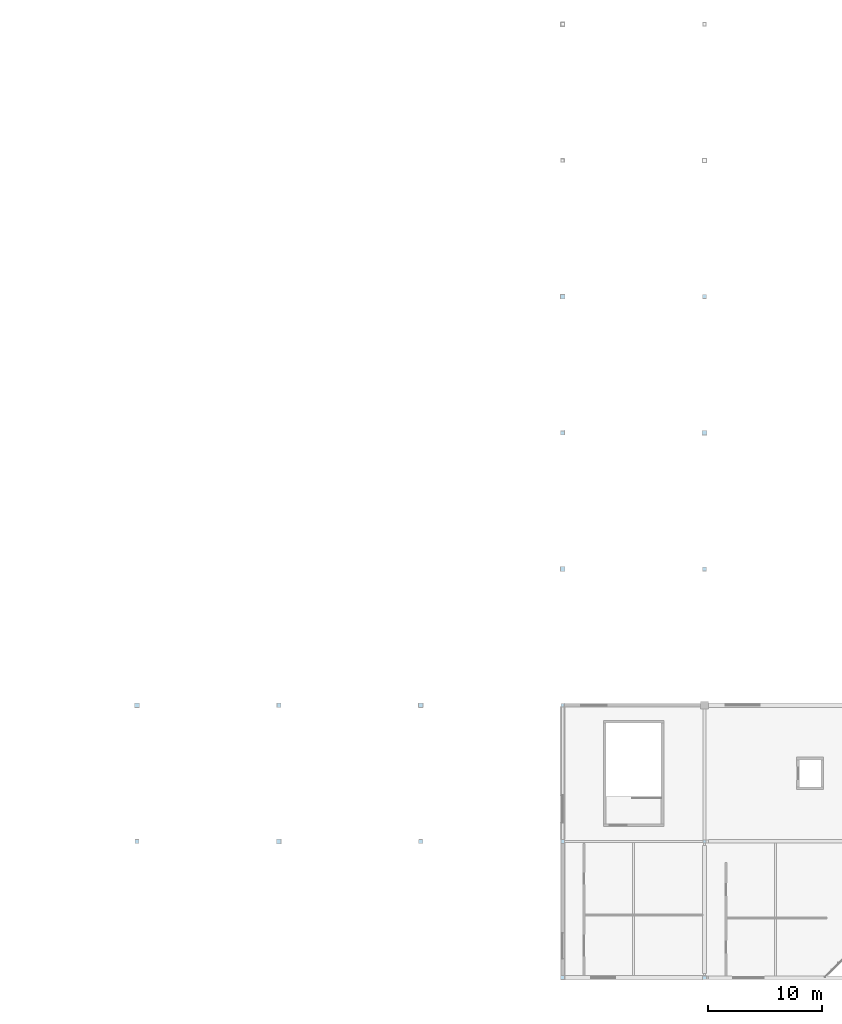
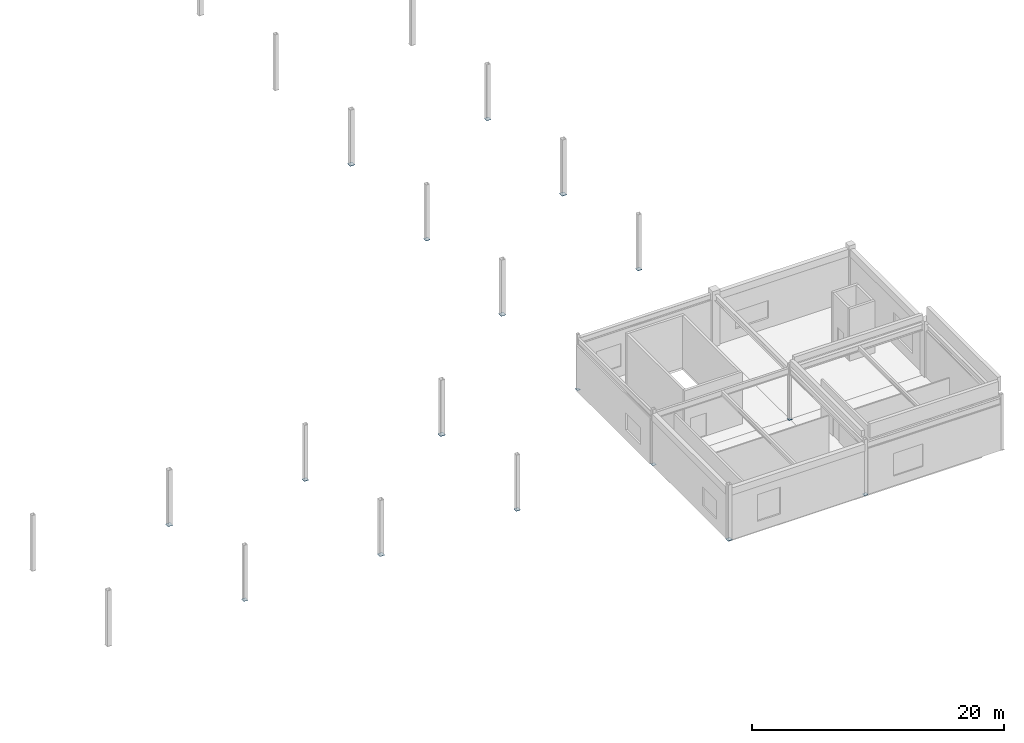
# One storey, part 56 of 76: 17 plates.
"""IFC4 building model written with IfcOpenShell, lengths in metres."""

from ifc_helpers import new_model, si_unit, direction, frame, origin, origin_2d, place, context, subcontext, project, spatial, rectangle, extrude, material, layer, layer_set, type_object, element, save


model = new_model("IFC4")

# Units and contexts
model_context = context("Model", 3, precision=1e-05, world=origin(), true_north=direction((0.0, 1.0)))
body_context = subcontext(model_context, "Body", "Model", "MODEL_VIEW")
ifc_project = project(units=[si_unit("LENGTHUNIT", "METRE"), si_unit("AREAUNIT", "SQUARE_METRE"), si_unit("VOLUMEUNIT", "CUBIC_METRE"), si_unit("PLANEANGLEUNIT", "RADIAN"), si_unit("MASSUNIT", "GRAM", prefix="KILO")], contexts=[model_context])

# Site, building, storey
site_placement = place(None, origin())
site = spatial("IfcSite", under=ifc_project, at=site_placement, CompositionType="ELEMENT")
building_placement = place(site_placement, origin())
building = spatial("IfcBuilding", under=site, at=building_placement, Name="Kazenohara Klinker Stadium", CompositionType="ELEMENT")
storey_placement = place(building_placement, frame((0.0, 0.0, 25.800048828125)))
storey = spatial("IfcBuildingStorey", under=building, at=storey_placement, Name="L05", CompositionType="ELEMENT", Elevation=25.800048828125)

# Plates
ifc_material = material(Name="Steel S355", Category="steel")
ifc_layer_1 = layer(ifc_material, 0.02001953125)
ifc_layer_set_1 = layer_set([ifc_layer_1], Name="Steel S355")
plate_type_1 = type_object("IfcPlateType", Name="PLT-GP01", PredefinedType="USERDEFINED", material=ifc_layer_set_1)
plate_1_placement = place(storey_placement, frame((137.5, 24.0, -0.010009765625), z_axis=(0.0, 0.0, 1.0), x_axis=(1.0, 0.0, 0.0)))
element("IfcPlate", 1, at=plate_1_placement, inside=storey, type_object=plate_type_1, Name="Hollow column end-cap plate GP01 L05 12/C", ObjectType="GUSSET PLATE", PredefinedType="USERDEFINED", context=body_context, shape_type="SweptSolid", body=[
    extrude(rectangle(XDim=0.389892578125, YDim=0.389892578125, at=origin_2d()), origin(), (0.0, 0.0, 1.0), 0.02001953125),
])
for number, where, z_axis, x_axis, name in (
    (2, (137.5, 36.0, -0.010009765625), (0.0, 0.0, 1.0), (1.0, 0.0, 0.0), "Hollow column end-cap plate GP01 L05 12/D"),
    (3, (150.0, 24.0, -0.010009765625), (0.0, 0.0, 1.0), (1.0, 0.0, 0.0), "Hollow column end-cap plate GP01 L05 13/C"),
):
    element("IfcPlate", number, at=place(storey_placement, frame(where, z_axis=z_axis, x_axis=x_axis)), inside=storey, type_object=plate_type_1, Name=name, ObjectType="GUSSET PLATE", PredefinedType="USERDEFINED", context=body_context, shape_type="SweptSolid", body=[
        extrude(rectangle(XDim=0.43994140625, YDim=0.43994140625, at=origin_2d()), origin(), (0.0, 0.0, 1.0), 0.02001953125),
    ])
for number, where, z_axis, x_axis, name in (
    (4, (150.0, 36.0, -0.010009765625), (0.0, 0.0, 1.0), (1.0, 0.0, 0.0), "Hollow column end-cap plate GP01 L05 13/D"),
    (5, (175.0, 12.0, -0.010009765625), (0.0, 0.0, 1.0), (1.0, 0.0, 0.0), "Hollow column end-cap plate GP01 L05 15/B"),
):
    element("IfcPlate", number, at=place(storey_placement, frame(where, z_axis=z_axis, x_axis=x_axis)), inside=storey, type_object=plate_type_1, Name=name, ObjectType="GUSSET PLATE", PredefinedType="USERDEFINED", context=body_context, shape_type="SweptSolid", body=[
        extrude(rectangle(XDim=0.389892578125, YDim=0.389892578125, at=origin_2d()), origin(), (0.0, 0.0, 1.0), 0.02001953125),
    ])
plate_2_placement = place(storey_placement, frame((187.5, 12.0, -0.010009765625), z_axis=(0.0, 0.0, 1.0), x_axis=(1.0, 0.0, 0.0)))
element("IfcPlate", 6, at=plate_2_placement, inside=storey, type_object=plate_type_1, Name="Hollow column end-cap plate GP01 L05 16/B", ObjectType="GUSSET PLATE", PredefinedType="USERDEFINED", context=body_context, shape_type="SweptSolid", body=[
    extrude(rectangle(XDim=0.340087890625, YDim=0.340087890625, at=origin_2d()), origin(), (0.0, 0.0, 1.0), 0.02001953125),
])
plate_3_placement = place(storey_placement, frame((187.5, 60.0, -0.010009765625), z_axis=(0.0, 0.0, 1.0), x_axis=(1.0, 0.0, 0.0)))
element("IfcPlate", 7, at=plate_3_placement, inside=storey, type_object=plate_type_1, Name="Hollow column end-cap plate GP01 L05 16/F", ObjectType="GUSSET PLATE", PredefinedType="USERDEFINED", context=body_context, shape_type="SweptSolid", body=[
    extrude(rectangle(XDim=0.43994140625, YDim=0.43994140625, at=origin_2d()), origin(), (0.0, 0.0, 1.0), 0.02001953125),
])
ifc_layer_2 = layer(ifc_material, 0.02197265625)
ifc_layer_set_2 = layer_set([ifc_layer_2], Name="Steel S355")
plate_type_2 = type_object("IfcPlateType", Name="PLT-GP02", PredefinedType="USERDEFINED", material=ifc_layer_set_2)
plate_4_placement = place(storey_placement, frame((175.0, 72.0, -0.010986328125), z_axis=(0.0, 0.0, 1.0), x_axis=(1.0, 0.0, 0.0)))
element("IfcPlate", 8, at=plate_4_placement, inside=storey, type_object=plate_type_2, Name="Hollow column end-cap plate GP02 L05 15/G", ObjectType="GUSSET PLATE", PredefinedType="USERDEFINED", context=body_context, shape_type="SweptSolid", body=[
    extrude(rectangle(XDim=0.43994140625, YDim=0.43994140625, at=origin_2d()), origin(), (0.0, 0.0, 1.0), 0.02197265625),
])
plate_5_placement = place(storey_placement, frame((187.5, 48.0, -0.010986328125), z_axis=(0.0, 0.0, 1.0), x_axis=(1.0, 0.0, 0.0)))
element("IfcPlate", 9, at=plate_5_placement, inside=storey, type_object=plate_type_2, Name="Hollow column end-cap plate GP02 L05 16/E", ObjectType="GUSSET PLATE", PredefinedType="USERDEFINED", context=body_context, shape_type="SweptSolid", body=[
    extrude(rectangle(XDim=0.389892578125, YDim=0.389892578125, at=origin_2d()), origin(), (0.0, 0.0, 1.0), 0.02197265625),
])
ifc_layer_3 = layer(ifc_material, 0.02392578125)
ifc_layer_set_3 = layer_set([ifc_layer_3], Name="Steel S355")
plate_type_3 = type_object("IfcPlateType", Name="PLT-GP03", PredefinedType="USERDEFINED", material=ifc_layer_set_3)
plate_6_placement = place(storey_placement, frame((162.5, 36.0, -0.011962890625), z_axis=(0.0, 0.0, 1.0), x_axis=(1.0, 0.0, 0.0)))
element("IfcPlate", 10, at=plate_6_placement, inside=storey, type_object=plate_type_3, Name="Hollow column end-cap plate GP03 L05 14/D", ObjectType="GUSSET PLATE", PredefinedType="USERDEFINED", context=body_context, shape_type="SweptSolid", body=[
    extrude(rectangle(XDim=0.43994140625, YDim=0.43994140625, at=origin_2d()), origin(), (0.0, 0.0, 1.0), 0.02392578125),
])
plate_7_placement = place(storey_placement, frame((175.0, 36.0, -0.011962890625), z_axis=(0.0, 0.0, 1.0), x_axis=(1.0, 0.0, 0.0)))
element("IfcPlate", 11, at=plate_7_placement, inside=storey, type_object=plate_type_3, Name="Hollow column end-cap plate GP03 L05 15/D", ObjectType="GUSSET PLATE", PredefinedType="USERDEFINED", context=body_context, shape_type="SweptSolid", body=[
    extrude(rectangle(XDim=0.2900390625, YDim=0.2900390625, at=origin_2d()), origin(), (0.0, 0.0, 1.0), 0.02392578125),
])
plate_8_placement = place(storey_placement, frame((175.0, 48.0, -0.011962890625), z_axis=(0.0, 0.0, 1.0), x_axis=(1.0, 0.0, 0.0)))
element("IfcPlate", 12, at=plate_8_placement, inside=storey, type_object=plate_type_3, Name="Hollow column end-cap plate GP03 L05 15/E", ObjectType="GUSSET PLATE", PredefinedType="USERDEFINED", context=body_context, shape_type="SweptSolid", body=[
    extrude(rectangle(XDim=0.43994140625, YDim=0.43994140625, at=origin_2d()), origin(), (0.0, 0.0, 1.0), 0.02392578125),
])
plate_9_placement = place(storey_placement, frame((175.0, 60.0, -0.011962890625), z_axis=(0.0, 0.0, 1.0), x_axis=(1.0, 0.0, 0.0)))
element("IfcPlate", 13, at=plate_9_placement, inside=storey, type_object=plate_type_3, Name="Hollow column end-cap plate GP03 L05 15/F", ObjectType="GUSSET PLATE", PredefinedType="USERDEFINED", context=body_context, shape_type="SweptSolid", body=[
    extrude(rectangle(XDim=0.389892578125, YDim=0.389892578125, at=origin_2d()), origin(), (0.0, 0.0, 1.0), 0.02392578125),
])
ifc_layer_4 = layer(ifc_material, 0.02490234375)
ifc_layer_set_4 = layer_set([ifc_layer_4], Name="Steel S355")
plate_type_4 = type_object("IfcPlateType", Name="PLT-GP04", PredefinedType="USERDEFINED", material=ifc_layer_set_4)
plate_10_placement = place(storey_placement, frame((162.5, 24.0, -0.012451171875), z_axis=(0.0, 0.0, 1.0), x_axis=(1.0, 0.0, 0.0)))
element("IfcPlate", 14, at=plate_10_placement, inside=storey, type_object=plate_type_4, Name="Hollow column end-cap plate GP04 L05 14/C", ObjectType="GUSSET PLATE", PredefinedType="USERDEFINED", context=body_context, shape_type="SweptSolid", body=[
    extrude(rectangle(XDim=0.389892578125, YDim=0.389892578125, at=origin_2d()), origin(), (0.0, 0.0, 1.0), 0.02490234375),
])
plate_11_placement = place(storey_placement, frame((175.0, 24.0, -0.012451171875), z_axis=(0.0, 0.0, 1.0), x_axis=(1.0, 0.0, 0.0)))
element("IfcPlate", 15, at=plate_11_placement, inside=storey, type_object=plate_type_4, Name="Hollow column end-cap plate GP04 L05 15/C", ObjectType="GUSSET PLATE", PredefinedType="USERDEFINED", context=body_context, shape_type="SweptSolid", body=[
    extrude(rectangle(XDim=0.340087890625, YDim=0.340087890625, at=origin_2d()), origin(), (0.0, 0.0, 1.0), 0.02490234375),
])
plate_12_placement = place(storey_placement, frame((187.5, 24.0, -0.012451171875), z_axis=(0.0, 0.0, 1.0), x_axis=(1.0, 0.0, 0.0)))
element("IfcPlate", 16, at=plate_12_placement, inside=storey, type_object=plate_type_4, Name="Hollow column end-cap plate GP04 L05 16/C", ObjectType="GUSSET PLATE", PredefinedType="USERDEFINED", context=body_context, shape_type="SweptSolid", body=[
    extrude(rectangle(XDim=0.2900390625, YDim=0.2900390625, at=origin_2d()), origin(), (0.0, 0.0, 1.0), 0.02490234375),
])
plate_13_placement = place(storey_placement, frame((187.5, 72.0, -0.012451171875), z_axis=(0.0, 0.0, 1.0), x_axis=(1.0, 0.0, 0.0)))
element("IfcPlate", 17, at=plate_13_placement, inside=storey, type_object=plate_type_4, Name="Hollow column end-cap plate GP04 L05 16/G", ObjectType="GUSSET PLATE", PredefinedType="USERDEFINED", context=body_context, shape_type="SweptSolid", body=[
    extrude(rectangle(XDim=0.389892578125, YDim=0.389892578125, at=origin_2d()), origin(), (0.0, 0.0, 1.0), 0.02490234375),
])

save(model, "model.ifc")
